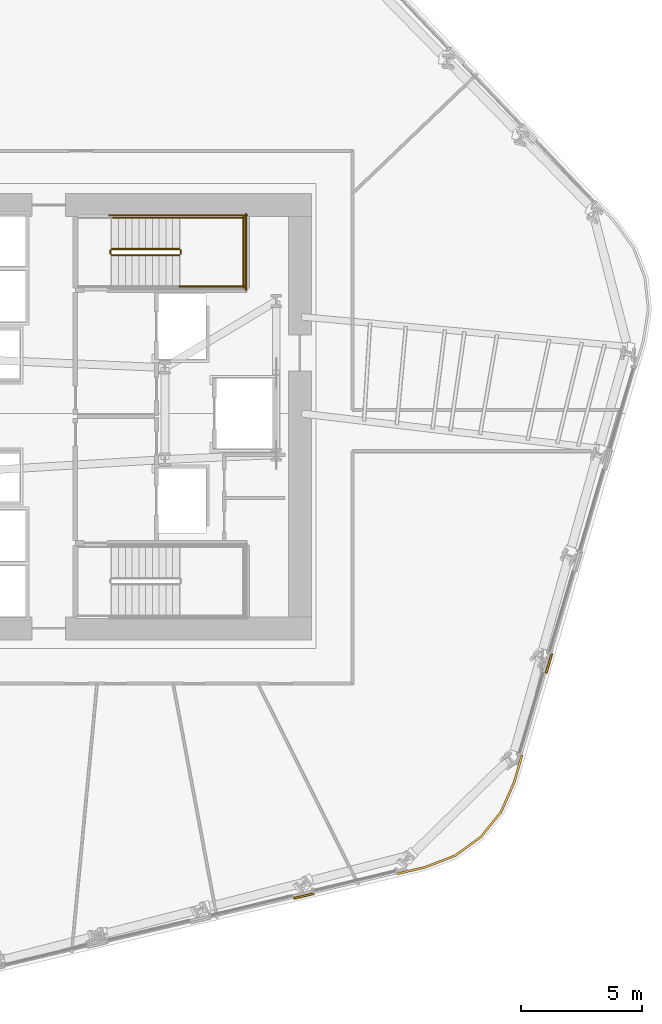
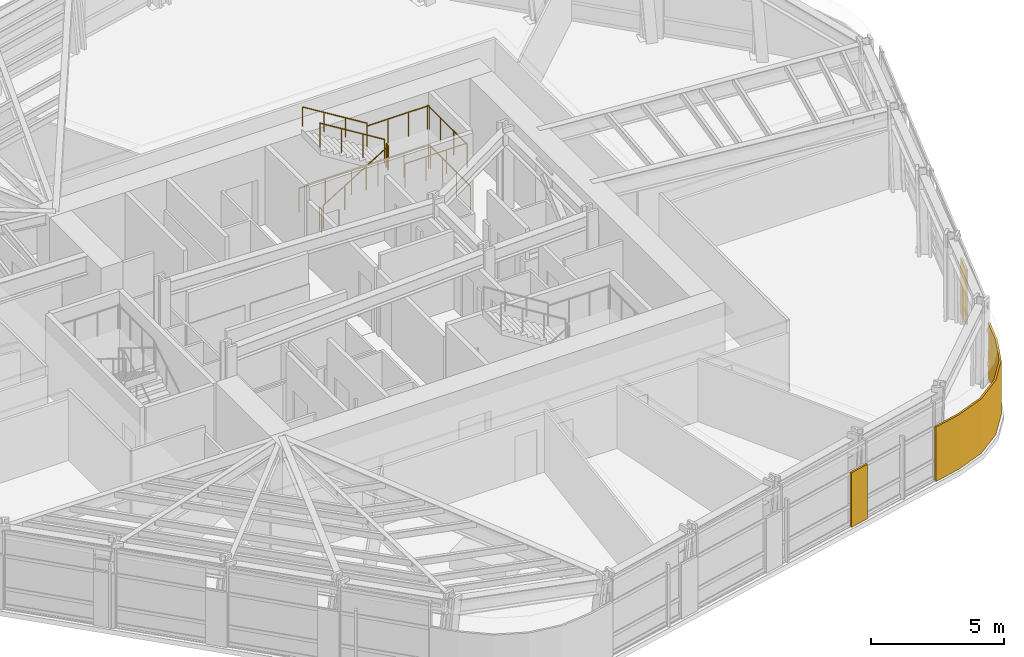
# One storey, part 15 of 17: 10 railings, 3 coverings.
"""IFC4 building model written with IfcOpenShell, lengths in metres."""

from ifc_helpers import new_model, si_unit, direction, frame, origin, origin_2d, place, context, subcontext, project, spatial, polyline, circle, outline, extrude, material, layer, layer_set, type_object, element, save


model = new_model("IFC4")

# Units and contexts
model_context = context("Model", 3, precision=1e-05, world=origin(), true_north=direction((0.0, 1.0)))
body_context = subcontext(model_context, "Body", "Model", "MODEL_VIEW")
ifc_project = project(units=[si_unit("LENGTHUNIT", "METRE"), si_unit("AREAUNIT", "SQUARE_METRE"), si_unit("VOLUMEUNIT", "CUBIC_METRE"), si_unit("PLANEANGLEUNIT", "RADIAN"), si_unit("MASSUNIT", "GRAM", prefix="KILO")], contexts=[model_context])

# Site, building, storey
site_placement = place(None, origin())
site = spatial("IfcSite", under=ifc_project, at=site_placement, CompositionType="ELEMENT")
building_placement = place(site_placement, origin())
building = spatial("IfcBuilding", under=site, at=building_placement, Name="Valkerne Bourse Tower", CompositionType="ELEMENT")
storey_placement = place(building_placement, frame((0.0, 0.0, 82.0)))
storey = spatial("IfcBuildingStorey", under=building, at=storey_placement, Name="L20", CompositionType="ELEMENT", Elevation=82.0)

# Coverings
ifc_material_1 = material(Name="Bronze Anodised Aluminium AA 6063-T6", Category="aluminium")
ifc_layer = layer(ifc_material_1, 0.06005859375)
ifc_layer_set = layer_set([ifc_layer], Name="Bronze Anodised Aluminium AA 6063-T6")
covering_type = type_object("IfcCoveringType", Name="COV-CRN-ALUM", PredefinedType="CLADDING", material=ifc_layer_set)
covering_1_placement = place(storey_placement, origin())
element("IfcCovering", 1, at=covering_1_placement, inside=storey, type_object=covering_type, Name="L20 Wind-Shaped Corner Aluminium Cladding 01", PredefinedType="CLADDING", context=body_context, shape_type="SweptSolid", body=[
    extrude(outline(polyline([(64.271484375, 10.506103515625), (63.433837890625, 9.4716796875), (62.35693359375, 8.689208984375), (61.108154296875, 8.209716796875), (59.959716796875, 7.93798828125), (59.94091796875, 8.015625), (61.084716796875, 8.286376953125), (62.318603515625, 8.760009765625), (63.37841796875, 9.530029296875), (64.202880859375, 10.548095703125), (64.740234375, 11.755615234375), (65.070556640625, 12.883544921875), (65.147216796875, 12.86083984375), (64.815673828125, 11.72802734375), (64.271484375, 10.506103515625)])), origin(), (0.0, 0.0, 1.0), 2.5),
])
covering_2_placement = place(storey_placement, origin())
element("IfcCovering", 2, at=covering_2_placement, inside=storey, type_object=covering_type, Name="L20 Wind-Shaped Corner Aluminium Cladding 02", PredefinedType="CLADDING", context=body_context, shape_type="SweptSolid", body=[
    extrude(outline(polyline([(55.6943359375, 6.92822265625), (55.67578125, 7.006103515625), (56.4931640625, 7.199462890625), (56.51171875, 7.12158203125), (55.6943359375, 6.92822265625)])), origin(), (0.0, 0.0, 1.0), 2.5),
])
covering_3_placement = place(storey_placement, origin())
element("IfcCovering", 3, at=covering_3_placement, inside=storey, type_object=covering_type, Name="L20 Wind-Shaped Corner Aluminium Cladding 24", PredefinedType="CLADDING", context=body_context, shape_type="SweptSolid", body=[
    extrude(outline(polyline([(66.142578125, 16.26123046875), (66.06591796875, 16.283935546875), (66.302001953125, 17.090087890625), (66.378662109375, 17.0673828125), (66.142578125, 16.26123046875)])), origin(), (0.0, 0.0, 1.0), 2.5),
])

# Railings
ifc_material_2 = material(Name="Galvanised Painted Steel", Category="steel")
railing_type_1 = type_object("IfcRailingType", Name="RLG-ST-GUARD-1120", PredefinedType="GUARDRAIL", material=ifc_material_2)
railing_1_placement = place(storey_placement, frame((48.14990234375, 33.550048828125, 0.172607421875)))
element("IfcRailing", 4, at=railing_1_placement, inside=storey, type_object=railing_type_1, Name="L20 ST-2 stair guard 1", PredefinedType="GUARDRAIL", context=body_context, shape_type="SweptSolid", body=[
    extrude(circle(Radius=0.02392578125, at=origin_2d()), frame((0.0, 0.0, 1.09619140625), z_axis=(0.851089632645, 0.0, 0.525020415988), x_axis=(0.0, 1.0, 0.0)), (0.0, 0.0, 1.0), 3.2900390625),
    extrude(circle(Radius=0.02099609375, at=origin_2d()), origin(), (0.0, 0.0, 1.0), 1.072021484375),
    extrude(circle(Radius=0.02099609375, at=origin_2d()), frame((0.933349609375, 0.0, 0.57568359375)), (0.0, 0.0, 1.0), 1.072021484375),
    extrude(circle(Radius=0.02099609375, at=origin_2d()), frame((1.86669921875, 0.0, 1.151611328125)), (0.0, 0.0, 1.0), 1.072021484375),
    extrude(circle(Radius=0.02099609375, at=origin_2d()), frame((2.800048828125, 0.0, 1.727294921875)), (0.0, 0.0, 1.0), 1.072021484375),
])
railing_2_placement = place(storey_placement, frame((51.0, 33.60009765625, 1.89990234375)))
element("IfcRailing", 5, at=railing_2_placement, inside=storey, type_object=railing_type_1, Name="L20 ST-2 stair guard 2", PredefinedType="GUARDRAIL", context=body_context, shape_type="SweptSolid", body=[
    extrude(circle(Radius=0.02392578125, at=origin_2d()), frame((0.0, 0.0, 1.09619140625), z_axis=(0.0, 1.0, 0.0), x_axis=(-1.0, 0.0, 0.0)), (0.0, 0.0, 1.0), 0.14990234375),
    extrude(circle(Radius=0.02099609375, at=origin_2d()), origin(), (0.0, 0.0, 1.0), 1.072021484375),
    extrude(circle(Radius=0.02099609375, at=origin_2d()), frame((0.0, 0.14990234375, 0.0)), (0.0, 0.0, 1.0), 1.072021484375),
])
for number, where, name in (
    (6, (50.949951171875, 32.25, 1.89990234375), "L20 ST-2 stair guard 3"),
    (7, (50.949951171875, 35.10009765625, 1.89990234375), "L20 ST-2 stair guard 4"),
):
    element("IfcRailing", number, at=place(storey_placement, frame(where)), inside=storey, type_object=railing_type_1, Name=name, PredefinedType="GUARDRAIL", context=body_context, shape_type="SweptSolid", body=[
        extrude(circle(Radius=0.02392578125, at=origin_2d()), frame((0.0, 0.0, 1.09619140625), z_axis=(1.0, 0.0, 0.0), x_axis=(0.0, 1.0, 0.0)), (0.0, 0.0, 1.0), 2.699951171875),
        extrude(circle(Radius=0.02099609375, at=origin_2d()), origin(), (0.0, 0.0, 1.0), 1.072021484375),
        extrude(circle(Radius=0.02099609375, at=origin_2d()), frame((0.89990234375, 0.0, 0.0)), (0.0, 0.0, 1.0), 1.072021484375),
        extrude(circle(Radius=0.02099609375, at=origin_2d()), frame((1.800048828125, 0.0, 0.0)), (0.0, 0.0, 1.0), 1.072021484375),
        extrude(circle(Radius=0.02099609375, at=origin_2d()), frame((2.699951171875, 0.0, 0.0)), (0.0, 0.0, 1.0), 1.072021484375),
    ])
railing_3_placement = place(storey_placement, frame((53.60009765625, 32.199951171875, 1.89990234375)))
element("IfcRailing", 8, at=railing_3_placement, inside=storey, type_object=railing_type_1, Name="L20 ST-2 stair guard 5", PredefinedType="GUARDRAIL", context=body_context, shape_type="SweptSolid", body=[
    extrude(circle(Radius=0.02392578125, at=origin_2d()), frame((0.0, 0.0, 1.09619140625), z_axis=(0.0, 1.0, 0.0), x_axis=(-1.0, 0.0, 0.0)), (0.0, 0.0, 1.0), 2.949951171875),
    extrude(circle(Radius=0.02099609375, at=origin_2d()), origin(), (0.0, 0.0, 1.0), 1.072021484375),
    extrude(circle(Radius=0.02099609375, at=origin_2d()), frame((0.0, 0.9833984375, 0.0)), (0.0, 0.0, 1.0), 1.072021484375),
    extrude(circle(Radius=0.02099609375, at=origin_2d()), frame((0.0, 1.966552734375, 0.0)), (0.0, 0.0, 1.0), 1.072021484375),
    extrude(circle(Radius=0.02099609375, at=origin_2d()), frame((0.0, 2.949951171875, 0.0)), (0.0, 0.0, 1.0), 1.072021484375),
])
railing_4_placement = place(storey_placement, frame((50.949951171875, 33.800048828125, 2.07275390625)))
element("IfcRailing", 9, at=railing_4_placement, inside=storey, type_object=railing_type_1, Name="L20 ST-2 stair guard 6", PredefinedType="GUARDRAIL", context=body_context, shape_type="SweptSolid", body=[
    extrude(circle(Radius=0.02392578125, at=origin_2d()), frame((0.0, 0.0, 1.09619140625), z_axis=(-0.851089632645, 0.0, 0.525020415988), x_axis=(0.0, -1.0, 0.0)), (0.0, 0.0, 1.0), 3.2900390625),
    extrude(circle(Radius=0.02099609375, at=origin_2d()), origin(), (0.0, 0.0, 1.0), 1.072021484375),
    extrude(circle(Radius=0.02099609375, at=origin_2d()), frame((-0.933349609375, 0.0, 0.57568359375)), (0.0, 0.0, 1.0), 1.072021484375),
    extrude(circle(Radius=0.02099609375, at=origin_2d()), frame((-1.86669921875, 0.0, 1.151611328125)), (0.0, 0.0, 1.0), 1.072021484375),
    extrude(circle(Radius=0.02099609375, at=origin_2d()), frame((-2.800048828125, 0.0, 1.727294921875)), (0.0, 0.0, 1.0), 1.072021484375),
])
railing_5_placement = place(storey_placement, frame((48.10009765625, 33.60009765625, 0.0)))
element("IfcRailing", 10, at=railing_5_placement, inside=storey, type_object=railing_type_1, Name="L20 ST-2 stair guard 7", PredefinedType="GUARDRAIL", context=body_context, shape_type="SweptSolid", body=[
    extrude(circle(Radius=0.02392578125, at=origin_2d()), frame((0.0, 0.0, 1.09619140625), z_axis=(0.0, 1.0, 0.0), x_axis=(-1.0, 0.0, 0.0)), (0.0, 0.0, 1.0), 0.14990234375),
    extrude(circle(Radius=0.02099609375, at=origin_2d()), origin(), (0.0, 0.0, 1.0), 1.072021484375),
    extrude(circle(Radius=0.02099609375, at=origin_2d()), frame((0.0, 0.14990234375, 0.0)), (0.0, 0.0, 1.0), 1.072021484375),
])
railing_6_placement = place(storey_placement, frame((48.050048828125, 35.199951171875, 0.0)))
element("IfcRailing", 11, at=railing_6_placement, inside=storey, type_object=railing_type_1, Name="L20 ST-2 stair guard 11", PredefinedType="GUARDRAIL", context=body_context, shape_type="SweptSolid", body=[
    extrude(circle(Radius=0.02392578125, at=origin_2d()), frame((0.0, 0.0, 1.09619140625), z_axis=(1.0, 0.0, 0.0), x_axis=(0.0, 1.0, 0.0)), (0.0, 0.0, 1.0), 5.699951171875),
    extrude(circle(Radius=0.02099609375, at=origin_2d()), origin(), (0.0, 0.0, 1.0), 1.072021484375),
    extrude(circle(Radius=0.02099609375, at=origin_2d()), frame((1.139892578125, 0.0, 0.0)), (0.0, 0.0, 1.0), 1.072021484375),
    extrude(circle(Radius=0.02099609375, at=origin_2d()), frame((2.280029296875, 0.0, 0.0)), (0.0, 0.0, 1.0), 1.072021484375),
    extrude(circle(Radius=0.02099609375, at=origin_2d()), frame((3.419921875, 0.0, 0.0)), (0.0, 0.0, 1.0), 1.072021484375),
    extrude(circle(Radius=0.02099609375, at=origin_2d()), frame((4.56005859375, 0.0, 0.0)), (0.0, 0.0, 1.0), 1.072021484375),
    extrude(circle(Radius=0.02099609375, at=origin_2d()), frame((5.699951171875, 0.0, 0.0)), (0.0, 0.0, 1.0), 1.072021484375),
])
railing_7_placement = place(storey_placement, frame((53.699951171875, 32.10009765625, 0.0)))
element("IfcRailing", 12, at=railing_7_placement, inside=storey, type_object=railing_type_1, Name="L20 ST-2 stair guard 12", PredefinedType="GUARDRAIL", context=body_context, shape_type="SweptSolid", body=[
    extrude(circle(Radius=0.02392578125, at=origin_2d()), frame((0.0, 0.0, 1.09619140625), z_axis=(0.0, 1.0, 0.0), x_axis=(-1.0, 0.0, 0.0)), (0.0, 0.0, 1.0), 3.14990234375),
    extrude(circle(Radius=0.02099609375, at=origin_2d()), origin(), (0.0, 0.0, 1.0), 1.072021484375),
    extrude(circle(Radius=0.02099609375, at=origin_2d()), frame((0.0, 1.050048828125, 0.0)), (0.0, 0.0, 1.0), 1.072021484375),
    extrude(circle(Radius=0.02099609375, at=origin_2d()), frame((0.0, 2.099853515625, 0.0)), (0.0, 0.0, 1.0), 1.072021484375),
    extrude(circle(Radius=0.02099609375, at=origin_2d()), frame((0.0, 3.14990234375, 0.0)), (0.0, 0.0, 1.0), 1.072021484375),
])
ifc_material_3 = material(Name="Stainless Steel AISI 316", Category="steel")
railing_type_2 = type_object("IfcRailingType", Name="RLG-ST-HANDRAIL-900", PredefinedType="HANDRAIL", material=ifc_material_3)
railing_8_placement = place(storey_placement, frame((50.949951171875, 35.10009765625, 2.245361328125)))
element("IfcRailing", 13, at=railing_8_placement, inside=storey, type_object=railing_type_2, Name="L20 ST-2 stair handrail 2", PredefinedType="HANDRAIL", context=body_context, shape_type="SweptSolid", body=[
    extrude(circle(Radius=0.02392578125, at=origin_2d()), frame((0.0, 0.0, 0.8759765625), z_axis=(-0.851089632645, 0.0, 0.525020415988), x_axis=(0.0, -1.0, 0.0)), (0.0, 0.0, 1.0), 3.2900390625),
    extrude(circle(Radius=0.02099609375, at=origin_2d()), origin(), (0.0, 0.0, 1.0), 0.851806640625),
    extrude(circle(Radius=0.02099609375, at=origin_2d()), frame((-0.933349609375, 0.0, 0.57568359375)), (0.0, 0.0, 1.0), 0.851806640625),
    extrude(circle(Radius=0.02099609375, at=origin_2d()), frame((-1.86669921875, 0.0, 1.151611328125)), (0.0, 0.0, 1.0), 0.851806640625),
    extrude(circle(Radius=0.02099609375, at=origin_2d()), frame((-2.800048828125, 0.0, 1.727294921875)), (0.0, 0.0, 1.0), 0.851806640625),
])

save(model, "model.ifc")
